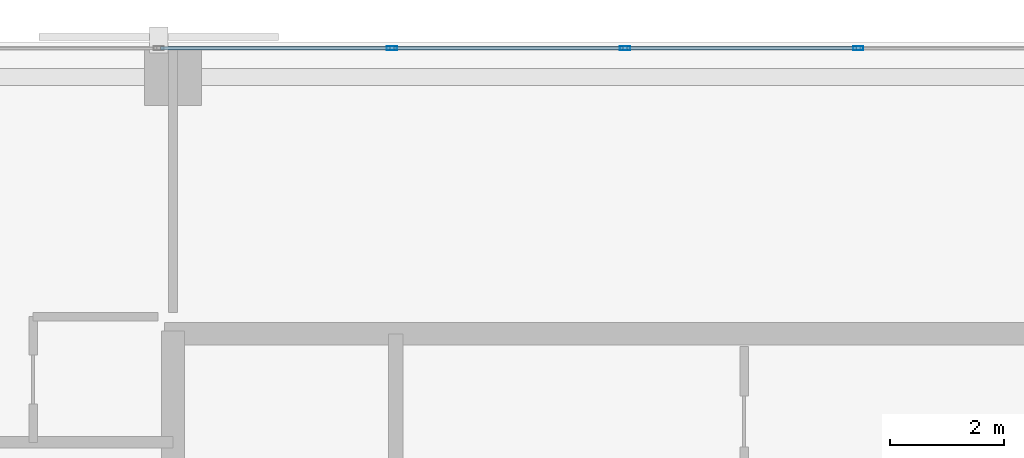
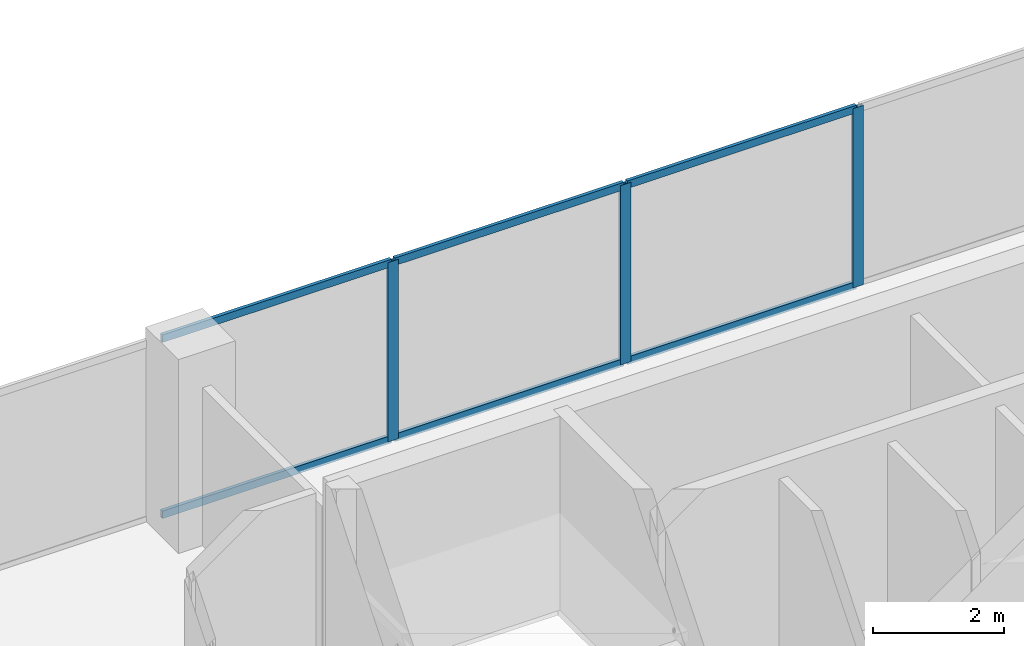
# One storey, part 21 of 31: 9 members, 1 element without a shape of its own.
"""IFC4 building model written with IfcOpenShell, lengths in metres."""

import ifcopenshell
import ifcopenshell.guid

model = None  # the IFC model being written
_history = None  # IfcOwnerHistory: only IFC2X3 demands one
_inside = {}  # id of a spatial element -> (the spatial element, [elements in it])
_under = {}  # id of a project, library or spatial element -> (it, [spatial elements below it])
_declared = {}  # id of a project -> (the project, [libraries it declares])
_typed = {}  # id of a type object -> (the type object, [elements of that type])
_made_of = {}  # id of a material, layer set ... -> (it, [elements and type objects made of it])


def new_model(schema):
    """Start an empty IFC model of exactly this schema.

    Asked for "IFC4X3", IfcOpenShell would pick the latest addendum, in which some entities
    have other attributes; the version numbers below select the first issue.
    IFC2X3 requires an IfcOwnerHistory on every rooted entity: one is made here for all.
    """
    global model, _history
    if schema == "IFC4X3":
        model = ifcopenshell.file(schema_version=(4, 3, 0, 0))
    else:
        model = ifcopenshell.file(schema=schema)
    _inside.clear()
    _under.clear()
    _declared.clear()
    _typed.clear()
    _made_of.clear()
    _history = None
    if model.schema == "IFC2X3":
        org = make("IfcOrganization", Name="unknown")
        user = make(
            "IfcPersonAndOrganization",
            ThePerson=make("IfcPerson", FamilyName="unknown"),
            TheOrganization=org,
        )
        app = make(
            "IfcApplication",
            ApplicationDeveloper=org,
            Version="unknown",
            ApplicationFullName="unknown",
            ApplicationIdentifier="unknown",
        )
        _history = make(
            "IfcOwnerHistory",
            OwningUser=user,
            OwningApplication=app,
            ChangeAction="ADDED",
            CreationDate=0,
        )
    return model


def make(cls, **values):
    """One entity of the class cls with the attributes given. An attribute that is None is left unset."""
    return model.create_entity(
        cls, **{name: value for name, value in values.items() if value is not None}
    )


def rooted(cls, **values):
    """An entity with a GlobalId (a new one), such as an element, a storey or a relation."""
    return make(cls, GlobalId=ifcopenshell.guid.new(), OwnerHistory=_history, **values)


def si_unit(unit_type, name, prefix=None):
    """IfcSIUnit, for example si_unit("LENGTHUNIT", "METRE", prefix="MILLI")."""
    return make("IfcSIUnit", UnitType=unit_type, Prefix=prefix, Name=name)


def assignment(units):
    """IfcUnitAssignment: the units of a project."""
    return None if units is None else make("IfcUnitAssignment", Units=units)


def point(xyz):
    """IfcCartesianPoint."""
    return None if xyz is None else make("IfcCartesianPoint", Coordinates=xyz)


def direction(xyz):
    """IfcDirection."""
    return None if xyz is None else make("IfcDirection", DirectionRatios=xyz)


def frame(location, z_axis=None, x_axis=None):
    """IfcAxis2Placement3D, a coordinate frame: its origin and axes. An axis left out is left unset."""
    return make(
        "IfcAxis2Placement3D",
        Location=point(location),
        Axis=direction(z_axis),
        RefDirection=direction(x_axis),
    )


def frame_2d(location, x_axis=None):
    """IfcAxis2Placement2D, a coordinate frame in the plane: its origin and x axis."""
    return make(
        "IfcAxis2Placement2D", Location=point(location), RefDirection=direction(x_axis)
    )


def origin():
    """The frame at (0, 0, 0) with its axes left unset."""
    return frame((0.0, 0.0, 0.0))


def origin_2d():
    """The frame at (0, 0) in the plane with its x axis left unset."""
    return frame_2d((0.0, 0.0))


def place(relative_to, where):
    """IfcLocalPlacement: puts the frame where relative to a parent placement (None: the world)."""
    return make(
        "IfcLocalPlacement", PlacementRelTo=relative_to, RelativePlacement=where
    )


def context(
    kind, dimensions, precision=None, world=None, true_north=None, identifier=None
):
    """IfcGeometricRepresentationContext, for example the 3D "Model" context."""
    return make(
        "IfcGeometricRepresentationContext",
        ContextIdentifier=identifier,
        ContextType=kind,
        CoordinateSpaceDimension=dimensions,
        Precision=precision,
        WorldCoordinateSystem=world,
        TrueNorth=true_north,
    )


def subcontext(parent, identifier, kind, view, scale=None):
    """IfcGeometricRepresentationSubContext, for example "Body" below "Model"."""
    return make(
        "IfcGeometricRepresentationSubContext",
        ContextIdentifier=identifier,
        ContextType=kind,
        ParentContext=parent,
        TargetScale=scale,
        TargetView=view,
    )


def project(units=None, contexts=None):
    """IfcProject with its units and contexts."""
    return rooted(
        "IfcProject",
        Name="project",
        RepresentationContexts=contexts,
        UnitsInContext=assignment(units),
    )


def spatial(cls, under=None, at=None, **own):
    """A site, building, storey or space (cls), placed at a placement, below another one or the project."""
    s = rooted(cls, ObjectPlacement=at, **own)
    if under is not None:
        _under.setdefault(under.id(), (under, []))[1].append(s)
    return s


def profile(cls, at=None, kind="AREA", **sizes):
    """A parametric profile (cls). Its sizes go by their IFC names, for example OverallWidth=200.0."""
    return make(cls, ProfileType=kind, Position=at, **sizes)


def hollow_rectangle(**sizes):
    """IfcRectangleHollowProfileDef."""
    return profile("IfcRectangleHollowProfileDef", **sizes)


def extrude(swept, where, along, depth):
    """IfcExtrudedAreaSolid: the profile swept, set in the frame where, extruded along a direction by depth."""
    return make(
        "IfcExtrudedAreaSolid",
        SweptArea=swept,
        Position=where,
        ExtrudedDirection=direction(along),
        Depth=depth,
    )


def shape(context_of_items, identifier, shape_type, items):
    """IfcShapeRepresentation: the items that make up one representation, for example the "Body"."""
    return make(
        "IfcShapeRepresentation",
        ContextOfItems=context_of_items,
        RepresentationIdentifier=identifier,
        RepresentationType=shape_type,
        Items=items,
    )


def material(Name=None, Category=None):
    """IfcMaterial."""
    return make("IfcMaterial", Name=Name, Category=Category)


def layer(
    of_material, thickness, ventilated=None, Name=None, Category=None, Priority=None
):
    """IfcMaterialLayer: one layer of a wall or slab, of a material (None: an air gap)."""
    return make(
        "IfcMaterialLayer",
        Material=of_material,
        LayerThickness=thickness,
        IsVentilated=ventilated,
        Name=Name,
        Category=Category,
        Priority=Priority,
    )


def layer_set(layers, Name=None):
    """IfcMaterialLayerSet."""
    return make("IfcMaterialLayerSet", MaterialLayers=layers, LayerSetName=Name)


def material_profile(
    of_material, cross_section, Name=None, Category=None, Priority=None
):
    """IfcMaterialProfile: a cross section and its material."""
    return make(
        "IfcMaterialProfile",
        Name=Name,
        Material=of_material,
        Profile=cross_section,
        Priority=Priority,
        Category=Category,
    )


def profile_set(profiles, Name=None, composite=None):
    """IfcMaterialProfileSet."""
    return make(
        "IfcMaterialProfileSet",
        Name=Name,
        MaterialProfiles=profiles,
        CompositeProfile=composite,
    )


def made_of(thing, what):
    """Note that an element or type object is made of a material, layer set ...; save() writes the relation."""
    if what is not None:
        _made_of.setdefault(what.id(), (what, []))[1].append(thing)
    return thing


def type_object(cls, material=None, **own):
    """A type object (cls), such as IfcWallType, which elements share."""
    return made_of(rooted(cls, **own), material)


def element(
    cls,
    number,
    at=None,
    inside=None,
    cuts=None,
    type_object=None,
    material=None,
    context=None,
    identifier="Body",
    shape_type=None,
    held_by="IfcProductDefinitionShape",
    body=None,
    shapes=None,
    **own,
):
    """One element of the class cls, such as IfcWall. Its Tag is "e" and its number.

    at: its placement. inside: the storey or other place that contains it. cuts: it is an
    opening in that element (IfcRelVoidsElement). A single representation is given by context,
    identifier, shape_type and body (its items); several are given by shapes. held_by: the class
    of the entity that holds the representations. save() writes the other relations.
    """
    e = rooted(cls, Tag="e%d" % number, ObjectPlacement=at, **own)
    if body is not None:
        shapes = [shape(context, identifier, shape_type, body)]
    if shapes is not None:
        e.Representation = make(held_by, Representations=shapes)
    if inside is not None:
        _inside.setdefault(inside.id(), (inside, []))[1].append(e)
    if cuts is not None:
        rooted(
            "IfcRelVoidsElement", RelatingBuildingElement=cuts, RelatedOpeningElement=e
        )
    if type_object is not None:
        _typed.setdefault(type_object.id(), (type_object, []))[1].append(e)
    return made_of(e, material)


def aggregate(whole, parts):
    """IfcRelAggregates: a whole, such as a stair, and the parts it consists of."""
    return rooted("IfcRelAggregates", RelatingObject=whole, RelatedObjects=parts)


def save(model, path):
    """Write the relations noted so far, then the file.

    IfcRelAggregates (storeys below a building ...), IfcRelContainedInSpatialStructure (elements
    in a storey), IfcRelDefinesByType, IfcRelAssociatesMaterial and IfcRelDeclares: one each for
    every whole, place, type object, material and project.
    """
    for whole, parts in _under.values():
        aggregate(whole, parts)
    for where, things in _inside.values():
        rooted(
            "IfcRelContainedInSpatialStructure",
            RelatedElements=things,
            RelatingStructure=where,
        )
    for kind, things in _typed.values():
        rooted("IfcRelDefinesByType", RelatedObjects=things, RelatingType=kind)
    for what, things in _made_of.values():
        rooted("IfcRelAssociatesMaterial", RelatedObjects=things, RelatingMaterial=what)
    for by, libraries in _declared.values():
        rooted("IfcRelDeclares", RelatingContext=by, RelatedDefinitions=libraries)
    model.write(path)


model = new_model("IFC4")

# Units and contexts
model_context = context("Model", 3, precision=1e-05, world=origin(), true_north=direction((0.0, 1.0)))
body_context = subcontext(model_context, "Body", "Model", "MODEL_VIEW")
ifc_project = project(units=[si_unit("LENGTHUNIT", "METRE"), si_unit("AREAUNIT", "SQUARE_METRE"), si_unit("VOLUMEUNIT", "CUBIC_METRE"), si_unit("PLANEANGLEUNIT", "RADIAN"), si_unit("MASSUNIT", "GRAM", prefix="KILO")], contexts=[model_context])

# Site, building, storey
site_placement = place(None, origin())
site = spatial("IfcSite", under=ifc_project, at=site_placement, CompositionType="ELEMENT")
building_placement = place(site_placement, origin())
building = spatial("IfcBuilding", under=site, at=building_placement, Name="Catumbela Crestline Tower", CompositionType="ELEMENT")
storey_placement = place(building_placement, frame((0.0, 0.0, 36.6)))
storey = spatial("IfcBuildingStorey", under=building, at=storey_placement, Name="L08", CompositionType="ELEMENT", Elevation=36.6)

# Curtain wall, members
ifc_material = material(Name="Aluminium alloy AW-6060-T66", Category="aluminium")
ifc_layer = layer(ifc_material, 0.18, Name="Aluminium alloy AW-6060-T66")
ifc_layer_set = layer_set([ifc_layer], Name="Aluminium alloy AW-6060-T66")
curtain_wall_type = type_object("IfcCurtainWallType", Name="CWU-Z1", PredefinedType="USERDEFINED", material=ifc_layer_set)
curtain_wall_placement = place(storey_placement, origin())
curtain_wall = element("IfcCurtainWall", 1, at=curtain_wall_placement, inside=storey, type_object=curtain_wall_type, Name="L08 Unitised Curtain Wall CW-L08-E7S1", ObjectType="UNITISED", PredefinedType="USERDEFINED")
ifc_material_profile_1 = material_profile(ifc_material, hollow_rectangle(XDim=0.065, YDim=0.18, WallThickness=0.004, at=origin_2d()), Name="ALU 180x65x4")
ifc_profile_set_1 = profile_set([ifc_material_profile_1], Name="Aluminium alloy AW-6060-T66")
member_type_1 = type_object("IfcMemberType", Name="MUL-180X65", PredefinedType="MULLION", material=ifc_profile_set_1)
member_1_placement = place(storey_placement, frame((28.0, 47.9, 0.0), z_axis=(0.0, 0.0, 1.0), x_axis=(0.0, -1.0, 0.0)))
member_1 = element("IfcMember", 2, at=member_1_placement, type_object=member_type_1, Name="CWU-Z1 mullion 7", PredefinedType="MULLION", context=body_context, shape_type="SweptSolid", body=[
    extrude(hollow_rectangle(XDim=0.065, YDim=0.18, WallThickness=0.004, at=origin_2d()), origin(), (0.0, 0.0, 1.0), 3.33),
])
member_2_placement = place(storey_placement, frame((23.9167, 47.9, 0.0), z_axis=(0.0, 0.0, 1.0), x_axis=(0.0, -1.0, 0.0)))
member_2 = element("IfcMember", 3, at=member_2_placement, type_object=member_type_1, Name="CWU-Z1 mullion 8", PredefinedType="MULLION", context=body_context, shape_type="SweptSolid", body=[
    extrude(hollow_rectangle(XDim=0.065, YDim=0.18, WallThickness=0.004, at=origin_2d()), origin(), (0.0, 0.0, 1.0), 3.33),
])
member_3_placement = place(storey_placement, frame((19.8333, 47.9, 0.0), z_axis=(0.0, 0.0, 1.0), x_axis=(0.0, -1.0, 0.0)))
member_3 = element("IfcMember", 4, at=member_3_placement, type_object=member_type_1, Name="CWU-Z1 mullion 9", PredefinedType="MULLION", context=body_context, shape_type="SweptSolid", body=[
    extrude(hollow_rectangle(XDim=0.065, YDim=0.18, WallThickness=0.004, at=origin_2d()), origin(), (0.0, 0.0, 1.0), 3.33),
])
ifc_material_profile_2 = material_profile(ifc_material, hollow_rectangle(XDim=0.06, YDim=0.14, WallThickness=0.004, at=origin_2d()), Name="ALU 140x60x4")
ifc_profile_set_2 = profile_set([ifc_material_profile_2], Name="Aluminium alloy AW-6060-T66")
member_type_2 = type_object("IfcMemberType", Name="TRN-140X60", PredefinedType="USERDEFINED", material=ifc_profile_set_2)
member_4_placement = place(storey_placement, frame((27.9675, 47.9, 0.03), z_axis=(-1.0, 0.0, 0.0), x_axis=(0.0, -1.0, 0.0)))
member_4 = element("IfcMember", 5, at=member_4_placement, type_object=member_type_2, Name="CWU-Z1 transom 7.1", ObjectType="TRANSOM", PredefinedType="USERDEFINED", context=body_context, shape_type="SweptSolid", body=[
    extrude(hollow_rectangle(XDim=0.06, YDim=0.14, WallThickness=0.004, at=origin_2d()), origin(), (0.0, 0.0, 1.0), 4.0183),
])
member_5_placement = place(storey_placement, frame((27.9675, 47.9, 3.3), z_axis=(-1.0, 0.0, 0.0), x_axis=(0.0, -1.0, 0.0)))
member_5 = element("IfcMember", 6, at=member_5_placement, type_object=member_type_2, Name="CWU-Z1 transom 7.2", ObjectType="TRANSOM", PredefinedType="USERDEFINED", context=body_context, shape_type="SweptSolid", body=[
    extrude(hollow_rectangle(XDim=0.06, YDim=0.14, WallThickness=0.004, at=origin_2d()), origin(), (0.0, 0.0, 1.0), 4.0183),
])
member_6_placement = place(storey_placement, frame((23.8842, 47.9, 0.03), z_axis=(-1.0, 0.0, 0.0), x_axis=(0.0, -1.0, 0.0)))
member_6 = element("IfcMember", 7, at=member_6_placement, type_object=member_type_2, Name="CWU-Z1 transom 8.1", ObjectType="TRANSOM", PredefinedType="USERDEFINED", context=body_context, shape_type="SweptSolid", body=[
    extrude(hollow_rectangle(XDim=0.06, YDim=0.14, WallThickness=0.004, at=origin_2d()), origin(), (0.0, 0.0, 1.0), 4.0184),
])
member_7_placement = place(storey_placement, frame((23.8842, 47.9, 3.3), z_axis=(-1.0, 0.0, 0.0), x_axis=(0.0, -1.0, 0.0)))
member_7 = element("IfcMember", 8, at=member_7_placement, type_object=member_type_2, Name="CWU-Z1 transom 8.2", ObjectType="TRANSOM", PredefinedType="USERDEFINED", context=body_context, shape_type="SweptSolid", body=[
    extrude(hollow_rectangle(XDim=0.06, YDim=0.14, WallThickness=0.004, at=origin_2d()), origin(), (0.0, 0.0, 1.0), 4.0184),
])
member_8_placement = place(storey_placement, frame((19.8008, 47.9, 0.03), z_axis=(-1.0, 0.0, 0.0), x_axis=(0.0, -1.0, 0.0)))
member_8 = element("IfcMember", 9, at=member_8_placement, type_object=member_type_2, Name="CWU-Z1 transom 9.1", ObjectType="TRANSOM", PredefinedType="USERDEFINED", context=body_context, shape_type="SweptSolid", body=[
    extrude(hollow_rectangle(XDim=0.06, YDim=0.14, WallThickness=0.004, at=origin_2d()), origin(), (0.0, 0.0, 1.0), 4.0183),
])
member_9_placement = place(storey_placement, frame((19.8008, 47.9, 3.3), z_axis=(-1.0, 0.0, 0.0), x_axis=(0.0, -1.0, 0.0)))
member_9 = element("IfcMember", 10, at=member_9_placement, type_object=member_type_2, Name="CWU-Z1 transom 9.2", ObjectType="TRANSOM", PredefinedType="USERDEFINED", context=body_context, shape_type="SweptSolid", body=[
    extrude(hollow_rectangle(XDim=0.06, YDim=0.14, WallThickness=0.004, at=origin_2d()), origin(), (0.0, 0.0, 1.0), 4.0183),
])
aggregate(curtain_wall, [member_1, member_2, member_3, member_4, member_5, member_6, member_7, member_8, member_9])

save(model, "model.ifc")
